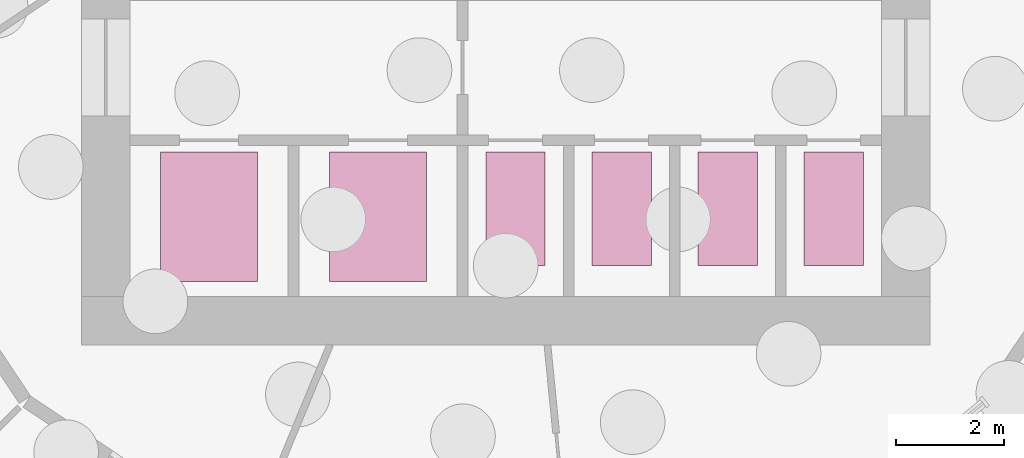
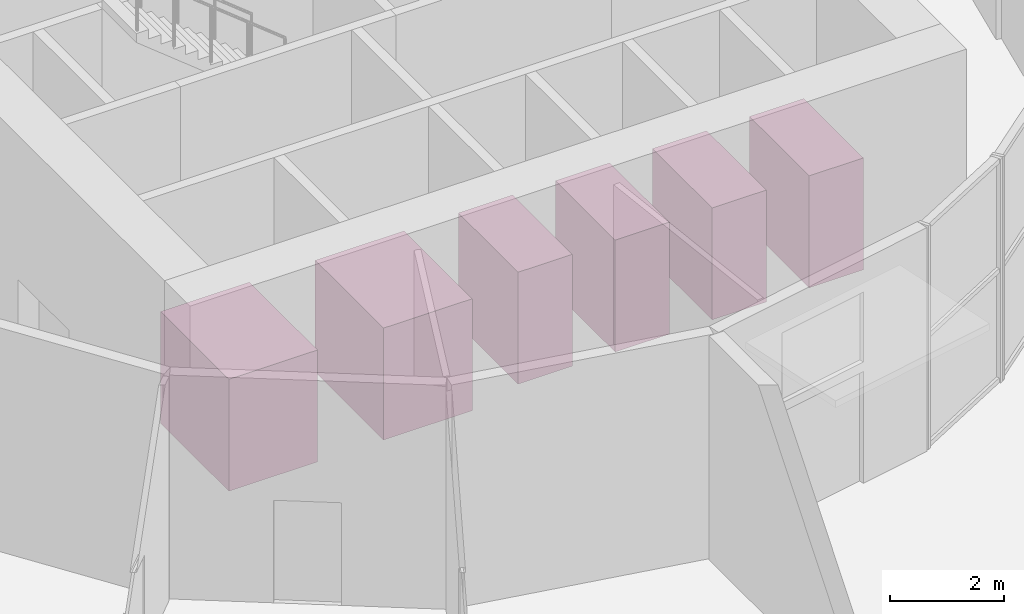
# One storey, part 10 of 10: 6 transport elements.
"""IFC4 building model written with IfcOpenShell, lengths in metres."""

from ifc_helpers import new_model, si_unit, direction, frame, origin, origin_2d, place, context, subcontext, project, spatial, rectangle, extrude, material, type_object, element, save


model = new_model("IFC4")

# Units and contexts
model_context = context("Model", 3, precision=1e-05, world=origin(), true_north=direction((0.0, 1.0)))
body_context = subcontext(model_context, "Body", "Model", "MODEL_VIEW")
ifc_project = project(units=[si_unit("LENGTHUNIT", "METRE"), si_unit("AREAUNIT", "SQUARE_METRE"), si_unit("VOLUMEUNIT", "CUBIC_METRE"), si_unit("PLANEANGLEUNIT", "RADIAN"), si_unit("MASSUNIT", "GRAM", prefix="KILO")], contexts=[model_context])

# Site, building, storey
site_placement = place(None, origin())
site = spatial("IfcSite", under=ifc_project, at=site_placement, CompositionType="ELEMENT")
building_placement = place(site_placement, origin())
building = spatial("IfcBuilding", under=site, at=building_placement, Name="Polderwave Tower", CompositionType="ELEMENT")
storey_placement = place(building_placement, origin())
storey = spatial("IfcBuildingStorey", under=building, at=storey_placement, Name="L00", CompositionType="ELEMENT", Elevation=0.0)

# Transport elements
ifc_material = material(Name="Stainless steel", Category="steel")
transport_element_type_1 = type_object("IfcTransportElementType", Name="Fire-fighting lift car 2100 kg", PredefinedType="ELEVATOR", material=ifc_material)
for number, where, z_axis, x_axis, name in (
    (1, (-5.505615234375, -5.493896484375, 0.0), (0.0, 0.0, 1.0), (1.0, 0.0, 0.0), "Fire-fighting lift FF1"),
    (2, (-2.368408203125, -5.493896484375, 0.0), (0.0, 0.0, 1.0), (1.0, 0.0, 0.0), "Fire-fighting lift FF2"),
):
    element("IfcTransportElement", number, at=place(storey_placement, frame(where, z_axis=z_axis, x_axis=x_axis)), inside=storey, type_object=transport_element_type_1, Name=name, PredefinedType="ELEVATOR", context=body_context, shape_type="SweptSolid", body=[
        extrude(rectangle(XDim=1.800048828125, YDim=2.39990234375, at=origin_2d()), origin(), (0.0, 0.0, 1.0), 2.39990234375),
    ])
transport_element_type_2 = type_object("IfcTransportElementType", Name="Passenger lift car 1000 kg", PredefinedType="ELEVATOR", material=ifc_material)
for number, where, z_axis, x_axis, name in (
    (3, (0.18408203125, -5.343994140625, 0.0), (0.0, 0.0, 1.0), (1.0, 0.0, 0.0), "Lift LL1"),
    (4, (2.15283203125, -5.343994140625, 0.0), (0.0, 0.0, 1.0), (1.0, 0.0, 0.0), "Lift LL2"),
    (5, (4.12109375, -5.343994140625, 0.0), (0.0, 0.0, 1.0), (1.0, 0.0, 0.0), "Lift LL3"),
    (6, (6.08984375, -5.343994140625, 0.0), (0.0, 0.0, 1.0), (1.0, 0.0, 0.0), "Lift LL4"),
):
    element("IfcTransportElement", number, at=place(storey_placement, frame(where, z_axis=z_axis, x_axis=x_axis)), inside=storey, type_object=transport_element_type_2, Name=name, PredefinedType="ELEVATOR", context=body_context, shape_type="SweptSolid", body=[
        extrude(rectangle(XDim=1.10009765625, YDim=2.10009765625, at=origin_2d()), origin(), (0.0, 0.0, 1.0), 2.39990234375),
    ])

save(model, "model.ifc")
